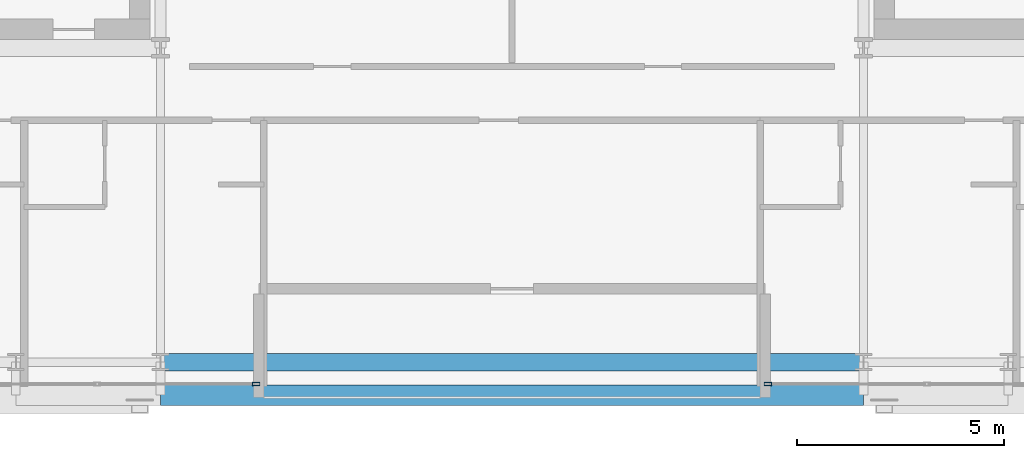
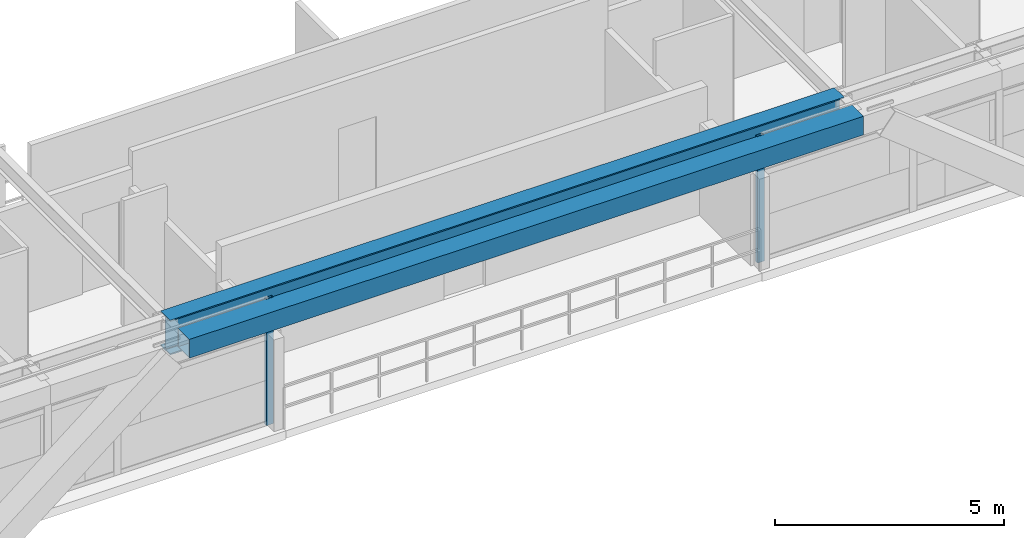
# One storey, part 6 of 32: 2 beams, 2 members, 2 elements without a shape of their own.
"""IFC4 building model written with IfcOpenShell, lengths in metres."""

from ifc_helpers import new_model, si_unit, direction, frame, origin, origin_2d, place, context, subcontext, project, spatial, hollow_rectangle, i_section, extrude, source, transform, mapped, material, layer, layer_set, material_profile, profile_set, type_object, element, aggregate, save


model = new_model("IFC4")

# Units and contexts
model_context = context("Model", 3, precision=1e-05, world=origin(), true_north=direction((0.0, 1.0)))
body_context = subcontext(model_context, "Body", "Model", "MODEL_VIEW")
ifc_project = project(units=[si_unit("LENGTHUNIT", "METRE"), si_unit("AREAUNIT", "SQUARE_METRE"), si_unit("VOLUMEUNIT", "CUBIC_METRE"), si_unit("PLANEANGLEUNIT", "RADIAN"), si_unit("MASSUNIT", "GRAM", prefix="KILO")], contexts=[model_context])

# Site, building, storey
site_placement = place(None, origin())
site = spatial("IfcSite", under=ifc_project, at=site_placement, CompositionType="ELEMENT")
building_placement = place(site_placement, origin())
building = spatial("IfcBuilding", under=site, at=building_placement, Name="Ocotamira Hotel", CompositionType="ELEMENT")
storey_placement = place(building_placement, frame((0.0, 0.0, 177.60009765625)))
storey = spatial("IfcBuildingStorey", under=building, at=storey_placement, Name="L44", CompositionType="ELEMENT", Elevation=177.60009765625)

# Beams
ifc_material_1 = material(Name="Steel ASTM A992 Grade 50", Category="steel")
ifc_material_profile_1 = material_profile(ifc_material_1, i_section(OverallWidth=0.41796875, OverallDepth=0.927001953125, WebThickness=0.019287109375, FlangeThickness=0.031982421875, FilletRadius=0.02392578125, at=origin_2d()), Name="W36X231")
ifc_profile_set_1 = profile_set([ifc_material_profile_1], Name="Steel ASTM A992 Grade 50")
beam_type_1 = type_object("IfcBeamType", Name="BM-GIRD-W36X231", PredefinedType="BEAM", material=ifc_profile_set_1)
shared_shape_1 = source(origin(), body_context, "Body", "SweptSolid", [
    extrude(i_section(OverallWidth=0.41796875, OverallDepth=0.927001953125, WebThickness=0.019287109375, FlangeThickness=0.031982421875, FilletRadius=0.02392578125, at=origin_2d()), origin(), (0.0, 0.0, 1.0), 17.0),
])
beam_1_placement = place(storey_placement, frame((23.5, 6.949951171875, 2.906494140625), z_axis=(1.0, 0.0, 0.0), x_axis=(0.0, 1.0, 0.0)))
element("IfcBeam", 1, at=beam_1_placement, inside=storey, type_object=beam_type_1, Name="L44 Girder Y6.95 X23.5-40.5", PredefinedType="BEAM", context=body_context, shape_type="MappedRepresentation", body=[
    mapped(shared_shape_1, transform((0.0, 0.0, 0.0), scale=1.0)),
])
ifc_material_2 = material(Name="Steel ASTM A500 Grade C", Category="steel")
ifc_material_profile_2 = material_profile(ifc_material_2, hollow_rectangle(XDim=0.5, YDim=0.5, WallThickness=0.02001953125, at=origin_2d()), Name="HSS500X500X20")
ifc_profile_set_2 = profile_set([ifc_material_profile_2], Name="Steel ASTM A500 Grade C")
beam_type_2 = type_object("IfcBeamType", Name="BM-SPAN-HSS500", PredefinedType="USERDEFINED", material=ifc_profile_set_2)
shared_shape_2 = source(origin(), body_context, "Body", "SweptSolid", [
    extrude(hollow_rectangle(XDim=0.5, YDim=0.5, WallThickness=0.02001953125, at=origin_2d()), origin(), (0.0, 0.0, 1.0), 17.0),
])
beam_2_placement = place(storey_placement, frame((23.5, 6.14990234375, 3.119873046875), z_axis=(1.0, 0.0, 0.0), x_axis=(0.0, 1.0, 0.0)))
element("IfcBeam", 2, at=beam_2_placement, inside=storey, type_object=beam_type_2, Name="L44 Edge Spandrel S X23.5-40.5", ObjectType="SPANDREL", PredefinedType="USERDEFINED", context=body_context, shape_type="MappedRepresentation", body=[
    mapped(shared_shape_2, transform((0.0, 0.0, 0.0), scale=1.0)),
])

# Curtain wall, member
ifc_material_3 = material(Name="Anodised pale-metal aluminium and solar glass", Category="aluminium")
ifc_layer = layer(ifc_material_3, 0.199951171875)
ifc_layer_set = layer_set([ifc_layer], Name="Anodised pale-metal aluminium and solar glass")
curtain_wall_type = type_object("IfcCurtainWallType", Name="CW-SYS4-Z3", PredefinedType="NOTDEFINED", material=ifc_layer_set)
curtain_wall_1_placement = place(storey_placement, origin())
curtain_wall_1 = element("IfcCurtainWall", 3, at=curtain_wall_1_placement, inside=storey, type_object=curtain_wall_type, Name="L44 Curtain Wall CW-4 CW-L44-S1", PredefinedType="NOTDEFINED")
ifc_material_4 = material(Name="Anodised pale-metal aluminium 6063-T6", Category="aluminium")
ifc_material_profile_3 = material_profile(ifc_material_4, hollow_rectangle(XDim=0.080078125, YDim=0.179931640625, WallThickness=0.006103515625, at=origin_2d()), Name="HSS180X80X6")
ifc_profile_set_3 = profile_set([ifc_material_profile_3], Name="Anodised pale-metal aluminium 6063-T6")
member_type = type_object("IfcMemberType", Name="CWM-180X75", PredefinedType="MULLION", material=ifc_profile_set_3)
shared_shape_3 = source(origin(), body_context, "Body", "SweptSolid", [
    extrude(hollow_rectangle(XDim=0.080078125, YDim=0.179931640625, WallThickness=0.006103515625, at=origin_2d()), origin(), (0.0, 0.0, 1.0), 3.369873046875),
])
member_1_placement = place(storey_placement, frame((25.81005859375, 6.419921875, 0.0), z_axis=(0.0, 0.0, 1.0), x_axis=(0.0, 1.0, 0.0)))
member_1 = element("IfcMember", 4, at=member_1_placement, type_object=member_type, Name="CW-4 mullion 4", PredefinedType="MULLION", context=body_context, shape_type="MappedRepresentation", body=[
    mapped(shared_shape_3, transform((0.0, 0.0, 0.0), scale=1.0)),
])
aggregate(curtain_wall_1, [member_1])

curtain_wall_2_placement = place(storey_placement, origin())
curtain_wall_2 = element("IfcCurtainWall", 5, at=curtain_wall_2_placement, inside=storey, type_object=curtain_wall_type, Name="L44 Curtain Wall CW-4 CW-L44-S2", PredefinedType="NOTDEFINED")
member_2_placement = place(storey_placement, frame((38.18994140625, 6.419921875, 0.0), z_axis=(0.0, 0.0, 1.0), x_axis=(0.0, 1.0, 0.0)))
member_2 = element("IfcMember", 6, at=member_2_placement, type_object=member_type, Name="CW-4 mullion 1", PredefinedType="MULLION", context=body_context, shape_type="MappedRepresentation", body=[
    mapped(shared_shape_3, transform((0.0, 0.0, 0.0), scale=1.0)),
])
aggregate(curtain_wall_2, [member_2])

save(model, "model.ifc")
